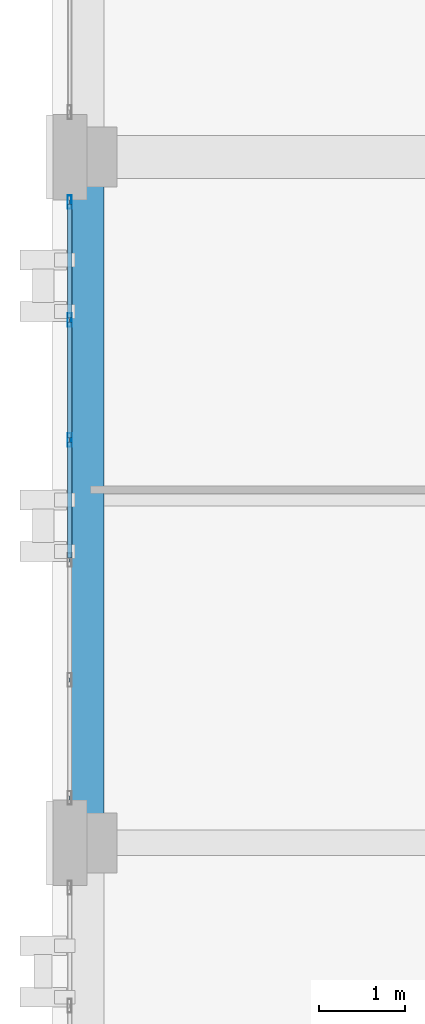
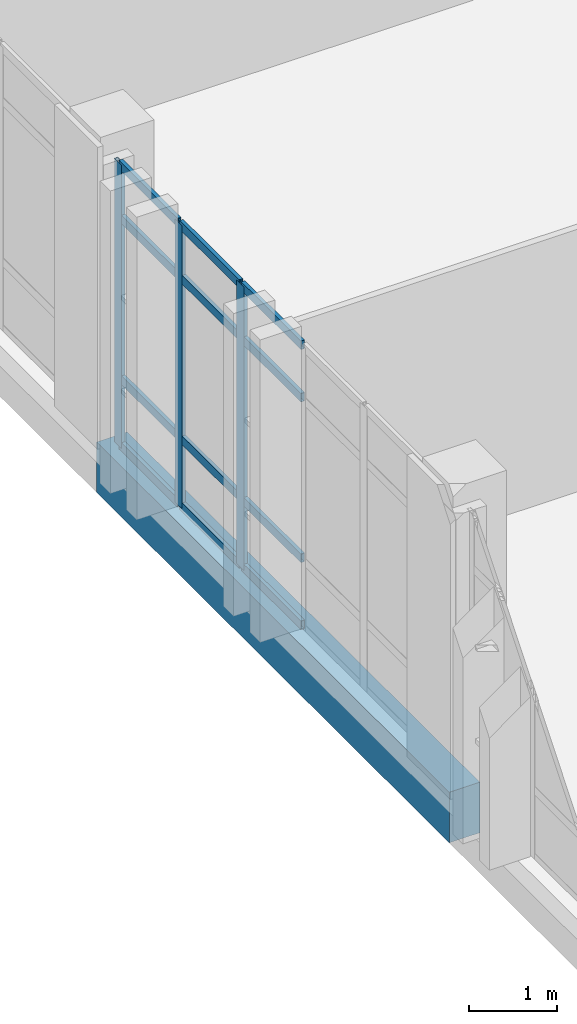
# One storey, part 64 of 158: 15 members, 1 beam, 1 element without a shape of its own.
"""IFC4 building model written with IfcOpenShell, lengths in metres."""

import ifcopenshell
import ifcopenshell.guid

model = None  # the IFC model being written
_history = None  # IfcOwnerHistory: only IFC2X3 demands one
_inside = {}  # id of a spatial element -> (the spatial element, [elements in it])
_under = {}  # id of a project, library or spatial element -> (it, [spatial elements below it])
_declared = {}  # id of a project -> (the project, [libraries it declares])
_typed = {}  # id of a type object -> (the type object, [elements of that type])
_made_of = {}  # id of a material, layer set ... -> (it, [elements and type objects made of it])


def new_model(schema):
    """Start an empty IFC model of exactly this schema.

    Asked for "IFC4X3", IfcOpenShell would pick the latest addendum, in which some entities
    have other attributes; the version numbers below select the first issue.
    IFC2X3 requires an IfcOwnerHistory on every rooted entity: one is made here for all.
    """
    global model, _history
    if schema == "IFC4X3":
        model = ifcopenshell.file(schema_version=(4, 3, 0, 0))
    else:
        model = ifcopenshell.file(schema=schema)
    _inside.clear()
    _under.clear()
    _declared.clear()
    _typed.clear()
    _made_of.clear()
    _history = None
    if model.schema == "IFC2X3":
        org = make("IfcOrganization", Name="unknown")
        user = make(
            "IfcPersonAndOrganization",
            ThePerson=make("IfcPerson", FamilyName="unknown"),
            TheOrganization=org,
        )
        app = make(
            "IfcApplication",
            ApplicationDeveloper=org,
            Version="unknown",
            ApplicationFullName="unknown",
            ApplicationIdentifier="unknown",
        )
        _history = make(
            "IfcOwnerHistory",
            OwningUser=user,
            OwningApplication=app,
            ChangeAction="ADDED",
            CreationDate=0,
        )
    return model


def make(cls, **values):
    """One entity of the class cls with the attributes given. An attribute that is None is left unset."""
    return model.create_entity(
        cls, **{name: value for name, value in values.items() if value is not None}
    )


def rooted(cls, **values):
    """An entity with a GlobalId (a new one), such as an element, a storey or a relation."""
    return make(cls, GlobalId=ifcopenshell.guid.new(), OwnerHistory=_history, **values)


def si_unit(unit_type, name, prefix=None):
    """IfcSIUnit, for example si_unit("LENGTHUNIT", "METRE", prefix="MILLI")."""
    return make("IfcSIUnit", UnitType=unit_type, Prefix=prefix, Name=name)


def assignment(units):
    """IfcUnitAssignment: the units of a project."""
    return None if units is None else make("IfcUnitAssignment", Units=units)


def point(xyz):
    """IfcCartesianPoint."""
    return None if xyz is None else make("IfcCartesianPoint", Coordinates=xyz)


def direction(xyz):
    """IfcDirection."""
    return None if xyz is None else make("IfcDirection", DirectionRatios=xyz)


def frame(location, z_axis=None, x_axis=None):
    """IfcAxis2Placement3D, a coordinate frame: its origin and axes. An axis left out is left unset."""
    return make(
        "IfcAxis2Placement3D",
        Location=point(location),
        Axis=direction(z_axis),
        RefDirection=direction(x_axis),
    )


def frame_2d(location, x_axis=None):
    """IfcAxis2Placement2D, a coordinate frame in the plane: its origin and x axis."""
    return make(
        "IfcAxis2Placement2D", Location=point(location), RefDirection=direction(x_axis)
    )


def origin():
    """The frame at (0, 0, 0) with its axes left unset."""
    return frame((0.0, 0.0, 0.0))


def origin_2d():
    """The frame at (0, 0) in the plane with its x axis left unset."""
    return frame_2d((0.0, 0.0))


def place(relative_to, where):
    """IfcLocalPlacement: puts the frame where relative to a parent placement (None: the world)."""
    return make(
        "IfcLocalPlacement", PlacementRelTo=relative_to, RelativePlacement=where
    )


def context(
    kind, dimensions, precision=None, world=None, true_north=None, identifier=None
):
    """IfcGeometricRepresentationContext, for example the 3D "Model" context."""
    return make(
        "IfcGeometricRepresentationContext",
        ContextIdentifier=identifier,
        ContextType=kind,
        CoordinateSpaceDimension=dimensions,
        Precision=precision,
        WorldCoordinateSystem=world,
        TrueNorth=true_north,
    )


def subcontext(parent, identifier, kind, view, scale=None):
    """IfcGeometricRepresentationSubContext, for example "Body" below "Model"."""
    return make(
        "IfcGeometricRepresentationSubContext",
        ContextIdentifier=identifier,
        ContextType=kind,
        ParentContext=parent,
        TargetScale=scale,
        TargetView=view,
    )


def project(units=None, contexts=None):
    """IfcProject with its units and contexts."""
    return rooted(
        "IfcProject",
        Name="project",
        RepresentationContexts=contexts,
        UnitsInContext=assignment(units),
    )


def spatial(cls, under=None, at=None, **own):
    """A site, building, storey or space (cls), placed at a placement, below another one or the project."""
    s = rooted(cls, ObjectPlacement=at, **own)
    if under is not None:
        _under.setdefault(under.id(), (under, []))[1].append(s)
    return s


def profile(cls, at=None, kind="AREA", **sizes):
    """A parametric profile (cls). Its sizes go by their IFC names, for example OverallWidth=200.0."""
    return make(cls, ProfileType=kind, Position=at, **sizes)


def rectangle(**sizes):
    """IfcRectangleProfileDef."""
    return profile("IfcRectangleProfileDef", **sizes)


def hollow_rectangle(**sizes):
    """IfcRectangleHollowProfileDef."""
    return profile("IfcRectangleHollowProfileDef", **sizes)


def extrude(swept, where, along, depth):
    """IfcExtrudedAreaSolid: the profile swept, set in the frame where, extruded along a direction by depth."""
    return make(
        "IfcExtrudedAreaSolid",
        SweptArea=swept,
        Position=where,
        ExtrudedDirection=direction(along),
        Depth=depth,
    )


def shape(context_of_items, identifier, shape_type, items):
    """IfcShapeRepresentation: the items that make up one representation, for example the "Body"."""
    return make(
        "IfcShapeRepresentation",
        ContextOfItems=context_of_items,
        RepresentationIdentifier=identifier,
        RepresentationType=shape_type,
        Items=items,
    )


def material(Name=None, Category=None):
    """IfcMaterial."""
    return make("IfcMaterial", Name=Name, Category=Category)


def layer(
    of_material, thickness, ventilated=None, Name=None, Category=None, Priority=None
):
    """IfcMaterialLayer: one layer of a wall or slab, of a material (None: an air gap)."""
    return make(
        "IfcMaterialLayer",
        Material=of_material,
        LayerThickness=thickness,
        IsVentilated=ventilated,
        Name=Name,
        Category=Category,
        Priority=Priority,
    )


def layer_set(layers, Name=None):
    """IfcMaterialLayerSet."""
    return make("IfcMaterialLayerSet", MaterialLayers=layers, LayerSetName=Name)


def material_profile(
    of_material, cross_section, Name=None, Category=None, Priority=None
):
    """IfcMaterialProfile: a cross section and its material."""
    return make(
        "IfcMaterialProfile",
        Name=Name,
        Material=of_material,
        Profile=cross_section,
        Priority=Priority,
        Category=Category,
    )


def profile_set(profiles, Name=None, composite=None):
    """IfcMaterialProfileSet."""
    return make(
        "IfcMaterialProfileSet",
        Name=Name,
        MaterialProfiles=profiles,
        CompositeProfile=composite,
    )


def made_of(thing, what):
    """Note that an element or type object is made of a material, layer set ...; save() writes the relation."""
    if what is not None:
        _made_of.setdefault(what.id(), (what, []))[1].append(thing)
    return thing


def type_object(cls, material=None, **own):
    """A type object (cls), such as IfcWallType, which elements share."""
    return made_of(rooted(cls, **own), material)


def element(
    cls,
    number,
    at=None,
    inside=None,
    cuts=None,
    type_object=None,
    material=None,
    context=None,
    identifier="Body",
    shape_type=None,
    held_by="IfcProductDefinitionShape",
    body=None,
    shapes=None,
    **own,
):
    """One element of the class cls, such as IfcWall. Its Tag is "e" and its number.

    at: its placement. inside: the storey or other place that contains it. cuts: it is an
    opening in that element (IfcRelVoidsElement). A single representation is given by context,
    identifier, shape_type and body (its items); several are given by shapes. held_by: the class
    of the entity that holds the representations. save() writes the other relations.
    """
    e = rooted(cls, Tag="e%d" % number, ObjectPlacement=at, **own)
    if body is not None:
        shapes = [shape(context, identifier, shape_type, body)]
    if shapes is not None:
        e.Representation = make(held_by, Representations=shapes)
    if inside is not None:
        _inside.setdefault(inside.id(), (inside, []))[1].append(e)
    if cuts is not None:
        rooted(
            "IfcRelVoidsElement", RelatingBuildingElement=cuts, RelatedOpeningElement=e
        )
    if type_object is not None:
        _typed.setdefault(type_object.id(), (type_object, []))[1].append(e)
    return made_of(e, material)


def aggregate(whole, parts):
    """IfcRelAggregates: a whole, such as a stair, and the parts it consists of."""
    return rooted("IfcRelAggregates", RelatingObject=whole, RelatedObjects=parts)


def save(model, path):
    """Write the relations noted so far, then the file.

    IfcRelAggregates (storeys below a building ...), IfcRelContainedInSpatialStructure (elements
    in a storey), IfcRelDefinesByType, IfcRelAssociatesMaterial and IfcRelDeclares: one each for
    every whole, place, type object, material and project.
    """
    for whole, parts in _under.values():
        aggregate(whole, parts)
    for where, things in _inside.values():
        rooted(
            "IfcRelContainedInSpatialStructure",
            RelatedElements=things,
            RelatingStructure=where,
        )
    for kind, things in _typed.values():
        rooted("IfcRelDefinesByType", RelatedObjects=things, RelatingType=kind)
    for what, things in _made_of.values():
        rooted("IfcRelAssociatesMaterial", RelatedObjects=things, RelatingMaterial=what)
    for by, libraries in _declared.values():
        rooted("IfcRelDeclares", RelatingContext=by, RelatedDefinitions=libraries)
    model.write(path)


model = new_model("IFC4")

# Units and contexts
model_context = context("Model", 3, precision=1e-05, world=origin(), true_north=direction((0.0, 1.0)))
body_context = subcontext(model_context, "Body", "Model", "MODEL_VIEW")
ifc_project = project(units=[si_unit("LENGTHUNIT", "METRE"), si_unit("AREAUNIT", "SQUARE_METRE"), si_unit("VOLUMEUNIT", "CUBIC_METRE"), si_unit("PLANEANGLEUNIT", "RADIAN"), si_unit("MASSUNIT", "GRAM", prefix="KILO")], contexts=[model_context])

# Site, building, storey
site_placement = place(None, origin())
site = spatial("IfcSite", under=ifc_project, at=site_placement, CompositionType="ELEMENT")
building_placement = place(site_placement, origin())
building = spatial("IfcBuilding", under=site, at=building_placement, Name="Qalavern Law Courts", CompositionType="ELEMENT")
storey_placement = place(building_placement, frame((0.0, 0.0, 18.60009765625)))
storey = spatial("IfcBuildingStorey", under=building, at=storey_placement, Name="L04", CompositionType="ELEMENT", Elevation=18.60009765625)

# Curtain wall, members
ifc_material_1 = material(Name="Anodised aluminium and insulated glazing", Category="aluminium")
ifc_layer = layer(ifc_material_1, 0.159912109375)
ifc_layer_set = layer_set([ifc_layer], Name="Anodised aluminium and insulated glazing")
curtain_wall_type = type_object("IfcCurtainWallType", Name="ENV-CW-CHAMB", PredefinedType="USERDEFINED", material=ifc_layer_set)
curtain_wall_placement = place(storey_placement, origin())
curtain_wall = element("IfcCurtainWall", 1, at=curtain_wall_placement, inside=storey, type_object=curtain_wall_type, Name="V3 unitised curtain wall L04 west 4", ObjectType="UNITISED CURTAIN WALL", PredefinedType="USERDEFINED")
ifc_material_2 = material(Name="Anodised aluminium", Category="aluminium")
ifc_material_profile_1 = material_profile(ifc_material_2, hollow_rectangle(XDim=0.048095703125, YDim=0.159912109375, WallThickness=0.00390625, at=origin_2d()), Name="ALU MULLION 48x160")
ifc_profile_set_1 = profile_set([ifc_material_profile_1], Name="Anodised aluminium")
member_type_1 = type_object("IfcMemberType", Name="ENV-CWM-48x160", PredefinedType="MULLION", material=ifc_profile_set_1)
member_1_placement = place(storey_placement, frame((2.199951171875, 72.8759765625, 0.0), z_axis=(0.0, 0.0, 1.0), x_axis=(1.0, 0.0, 0.0)))
member_1 = element("IfcMember", 2, at=member_1_placement, type_object=member_type_1, Name="CW-04 mullion 1", PredefinedType="MULLION", context=body_context, shape_type="SweptSolid", body=[
    extrude(hollow_rectangle(XDim=0.048095703125, YDim=0.159912109375, WallThickness=0.00390625, at=origin_2d()), origin(), (0.0, 0.0, 1.0), 3.9248046875),
])
member_2_placement = place(storey_placement, frame((2.199951171875, 71.5, 0.0), z_axis=(0.0, 0.0, 1.0), x_axis=(1.0, 0.0, 0.0)))
member_2 = element("IfcMember", 3, at=member_2_placement, type_object=member_type_1, Name="CW-04 mullion 2", PredefinedType="MULLION", context=body_context, shape_type="SweptSolid", body=[
    extrude(hollow_rectangle(XDim=0.048095703125, YDim=0.159912109375, WallThickness=0.00390625, at=origin_2d()), origin(), (0.0, 0.0, 1.0), 3.9248046875),
])
member_3_placement = place(storey_placement, frame((2.199951171875, 70.10009765625, 0.0), z_axis=(0.0, 0.0, 1.0), x_axis=(1.0, 0.0, 0.0)))
member_3 = element("IfcMember", 4, at=member_3_placement, type_object=member_type_1, Name="CW-04 mullion 3", PredefinedType="MULLION", context=body_context, shape_type="SweptSolid", body=[
    extrude(hollow_rectangle(XDim=0.048095703125, YDim=0.159912109375, WallThickness=0.00390625, at=origin_2d()), origin(), (0.0, 0.0, 1.0), 3.9248046875),
])
ifc_material_profile_2 = material_profile(ifc_material_2, hollow_rectangle(XDim=0.048095703125, YDim=0.1201171875, WallThickness=0.00390625, at=origin_2d()), Name="ALU TRANSOM 48x120")
ifc_profile_set_2 = profile_set([ifc_material_profile_2], Name="Anodised aluminium")
member_type_2 = type_object("IfcMemberType", Name="ENV-CWT-48x120", PredefinedType="USERDEFINED", material=ifc_profile_set_2)
member_4_placement = place(storey_placement, frame((2.199951171875, 72.85205078125, 0.02392578125), z_axis=(0.0, -1.0, 0.0), x_axis=(1.0, 0.0, 0.0)))
member_4 = element("IfcMember", 5, at=member_4_placement, type_object=member_type_2, Name="CW-04 transom 1.1", ObjectType="TRANSOM", PredefinedType="USERDEFINED", context=body_context, shape_type="SweptSolid", body=[
    extrude(hollow_rectangle(XDim=0.048095703125, YDim=0.1201171875, WallThickness=0.00390625, at=origin_2d()), origin(), (0.0, 0.0, 1.0), 1.328125),
])
member_5_placement = place(storey_placement, frame((2.199951171875, 72.85205078125, 0.949951171875), z_axis=(0.0, -1.0, 0.0), x_axis=(1.0, 0.0, 0.0)))
member_5 = element("IfcMember", 6, at=member_5_placement, type_object=member_type_2, Name="CW-04 transom 1.2", ObjectType="TRANSOM", PredefinedType="USERDEFINED", context=body_context, shape_type="SweptSolid", body=[
    extrude(hollow_rectangle(XDim=0.048095703125, YDim=0.1201171875, WallThickness=0.00390625, at=origin_2d()), origin(), (0.0, 0.0, 1.0), 1.328125),
])
member_6_placement = place(storey_placement, frame((2.199951171875, 72.85205078125, 3.1748046875), z_axis=(0.0, -1.0, 0.0), x_axis=(1.0, 0.0, 0.0)))
member_6 = element("IfcMember", 7, at=member_6_placement, type_object=member_type_2, Name="CW-04 transom 1.3", ObjectType="TRANSOM", PredefinedType="USERDEFINED", context=body_context, shape_type="SweptSolid", body=[
    extrude(hollow_rectangle(XDim=0.048095703125, YDim=0.1201171875, WallThickness=0.00390625, at=origin_2d()), origin(), (0.0, 0.0, 1.0), 1.328125),
])
member_7_placement = place(storey_placement, frame((2.199951171875, 72.85205078125, 3.90087890625), z_axis=(0.0, -1.0, 0.0), x_axis=(1.0, 0.0, 0.0)))
member_7 = element("IfcMember", 8, at=member_7_placement, type_object=member_type_2, Name="CW-04 transom 1.4", ObjectType="TRANSOM", PredefinedType="USERDEFINED", context=body_context, shape_type="SweptSolid", body=[
    extrude(hollow_rectangle(XDim=0.048095703125, YDim=0.1201171875, WallThickness=0.00390625, at=origin_2d()), origin(), (0.0, 0.0, 1.0), 1.328125),
])
member_8_placement = place(storey_placement, frame((2.199951171875, 71.47607421875, 0.02392578125), z_axis=(0.0, -1.0, 0.0), x_axis=(1.0, 0.0, 0.0)))
member_8 = element("IfcMember", 9, at=member_8_placement, type_object=member_type_2, Name="CW-04 transom 2.1", ObjectType="TRANSOM", PredefinedType="USERDEFINED", context=body_context, shape_type="SweptSolid", body=[
    extrude(hollow_rectangle(XDim=0.048095703125, YDim=0.1201171875, WallThickness=0.00390625, at=origin_2d()), origin(), (0.0, 0.0, 1.0), 1.35205078125),
])
member_9_placement = place(storey_placement, frame((2.199951171875, 71.47607421875, 0.949951171875), z_axis=(0.0, -1.0, 0.0), x_axis=(1.0, 0.0, 0.0)))
member_9 = element("IfcMember", 10, at=member_9_placement, type_object=member_type_2, Name="CW-04 transom 2.2", ObjectType="TRANSOM", PredefinedType="USERDEFINED", context=body_context, shape_type="SweptSolid", body=[
    extrude(hollow_rectangle(XDim=0.048095703125, YDim=0.1201171875, WallThickness=0.00390625, at=origin_2d()), origin(), (0.0, 0.0, 1.0), 1.35205078125),
])
member_10_placement = place(storey_placement, frame((2.199951171875, 71.47607421875, 3.1748046875), z_axis=(0.0, -1.0, 0.0), x_axis=(1.0, 0.0, 0.0)))
member_10 = element("IfcMember", 11, at=member_10_placement, type_object=member_type_2, Name="CW-04 transom 2.3", ObjectType="TRANSOM", PredefinedType="USERDEFINED", context=body_context, shape_type="SweptSolid", body=[
    extrude(hollow_rectangle(XDim=0.048095703125, YDim=0.1201171875, WallThickness=0.00390625, at=origin_2d()), origin(), (0.0, 0.0, 1.0), 1.35205078125),
])
member_11_placement = place(storey_placement, frame((2.199951171875, 71.47607421875, 3.90087890625), z_axis=(0.0, -1.0, 0.0), x_axis=(1.0, 0.0, 0.0)))
member_11 = element("IfcMember", 12, at=member_11_placement, type_object=member_type_2, Name="CW-04 transom 2.4", ObjectType="TRANSOM", PredefinedType="USERDEFINED", context=body_context, shape_type="SweptSolid", body=[
    extrude(hollow_rectangle(XDim=0.048095703125, YDim=0.1201171875, WallThickness=0.00390625, at=origin_2d()), origin(), (0.0, 0.0, 1.0), 1.35205078125),
])
member_12_placement = place(storey_placement, frame((2.199951171875, 70.075927734375, 0.02392578125), z_axis=(0.0, -1.0, 0.0), x_axis=(1.0, 0.0, 0.0)))
member_12 = element("IfcMember", 13, at=member_12_placement, type_object=member_type_2, Name="CW-04 transom 3.1", ObjectType="TRANSOM", PredefinedType="USERDEFINED", context=body_context, shape_type="SweptSolid", body=[
    extrude(hollow_rectangle(XDim=0.048095703125, YDim=0.1201171875, WallThickness=0.00390625, at=origin_2d()), origin(), (0.0, 0.0, 1.0), 1.351806640625),
])
member_13_placement = place(storey_placement, frame((2.199951171875, 70.075927734375, 0.949951171875), z_axis=(0.0, -1.0, 0.0), x_axis=(1.0, 0.0, 0.0)))
member_13 = element("IfcMember", 14, at=member_13_placement, type_object=member_type_2, Name="CW-04 transom 3.2", ObjectType="TRANSOM", PredefinedType="USERDEFINED", context=body_context, shape_type="SweptSolid", body=[
    extrude(hollow_rectangle(XDim=0.048095703125, YDim=0.1201171875, WallThickness=0.00390625, at=origin_2d()), origin(), (0.0, 0.0, 1.0), 1.351806640625),
])
member_14_placement = place(storey_placement, frame((2.199951171875, 70.075927734375, 3.1748046875), z_axis=(0.0, -1.0, 0.0), x_axis=(1.0, 0.0, 0.0)))
member_14 = element("IfcMember", 15, at=member_14_placement, type_object=member_type_2, Name="CW-04 transom 3.3", ObjectType="TRANSOM", PredefinedType="USERDEFINED", context=body_context, shape_type="SweptSolid", body=[
    extrude(hollow_rectangle(XDim=0.048095703125, YDim=0.1201171875, WallThickness=0.00390625, at=origin_2d()), origin(), (0.0, 0.0, 1.0), 1.351806640625),
])
member_15_placement = place(storey_placement, frame((2.199951171875, 70.075927734375, 3.90087890625), z_axis=(0.0, -1.0, 0.0), x_axis=(1.0, 0.0, 0.0)))
member_15 = element("IfcMember", 16, at=member_15_placement, type_object=member_type_2, Name="CW-04 transom 3.4", ObjectType="TRANSOM", PredefinedType="USERDEFINED", context=body_context, shape_type="SweptSolid", body=[
    extrude(hollow_rectangle(XDim=0.048095703125, YDim=0.1201171875, WallThickness=0.00390625, at=origin_2d()), origin(), (0.0, 0.0, 1.0), 1.351806640625),
])
aggregate(curtain_wall, [member_1, member_2, member_3, member_4, member_5, member_6, member_7, member_8, member_9, member_10, member_11, member_12, member_13, member_14, member_15])

# Beam
ifc_material_3 = material(Name="Concrete C40/50", Category="concrete")
ifc_material_profile_3 = material_profile(ifc_material_3, rectangle(XDim=0.39990234375, YDim=0.699951171875, at=origin_2d()), Name="RC 400x700")
ifc_profile_set_3 = profile_set([ifc_material_profile_3], Name="Concrete C40/50")
beam_type = type_object("IfcBeamType", Name="STR-SP-RC400x700", PredefinedType="SPANDREL", material=ifc_profile_set_3)
beam_placement = place(storey_placement, frame((2.39990234375, 65.39990234375, -0.630126953125), z_axis=(0.0, 1.0, 0.0), x_axis=(-1.0, 0.0, 0.0)))
element("IfcBeam", 17, at=beam_placement, inside=storey, type_object=beam_type, Name="V3 Y-beam 1-4 L04", PredefinedType="SPANDREL", context=body_context, shape_type="SweptSolid", body=[
    extrude(rectangle(XDim=0.39990234375, YDim=0.699951171875, at=origin_2d()), origin(), (0.0, 0.0, 1.0), 8.0),
])

save(model, "model.ifc")
